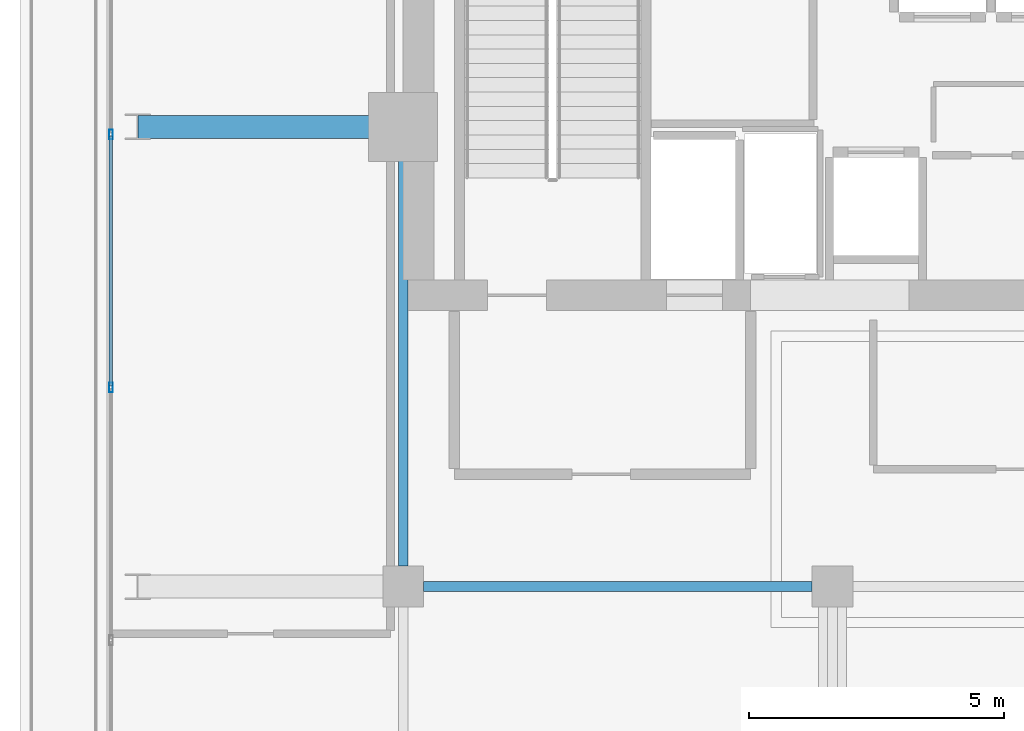
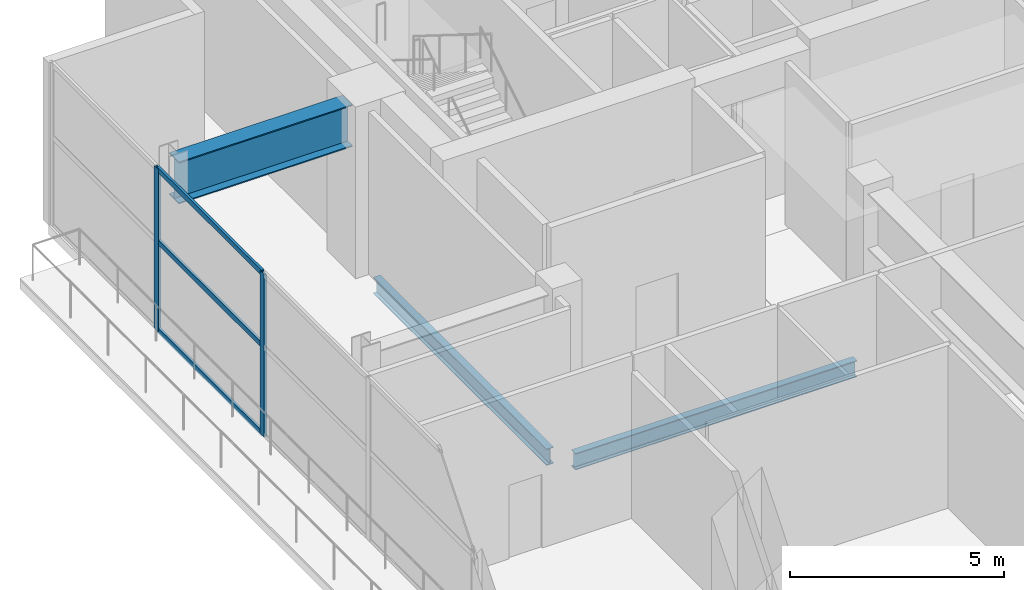
# One storey, part 8 of 22: 5 members, 3 beams, 1 element without a shape of its own.
"""IFC4 building model written with IfcOpenShell, lengths in metres."""

from ifc_helpers import new_model, si_unit, direction, frame, origin, origin_2d, place, context, subcontext, project, spatial, hollow_rectangle, i_section, extrude, material, layer, layer_set, material_profile, profile_set, type_object, element, aggregate, save


model = new_model("IFC4")

# Units and contexts
model_context = context("Model", 3, precision=1e-05, world=origin(), true_north=direction((0.0, 1.0)))
body_context = subcontext(model_context, "Body", "Model", "MODEL_VIEW")
ifc_project = project(units=[si_unit("LENGTHUNIT", "METRE"), si_unit("AREAUNIT", "SQUARE_METRE"), si_unit("VOLUMEUNIT", "CUBIC_METRE"), si_unit("PLANEANGLEUNIT", "RADIAN"), si_unit("MASSUNIT", "GRAM", prefix="KILO")], contexts=[model_context])

# Site, building, storey
site_placement = place(None, origin())
site = spatial("IfcSite", under=ifc_project, at=site_placement, CompositionType="ELEMENT")
building_placement = place(site_placement, origin())
building = spatial("IfcBuilding", under=site, at=building_placement, Name="Maruvema Waterfront Hotel and Observation Tower", CompositionType="ELEMENT")
storey_placement = place(building_placement, frame((0.0, 0.0, 354.199951171875)))
storey = spatial("IfcBuildingStorey", under=building, at=storey_placement, Name="L87", CompositionType="ELEMENT", Elevation=354.199951171875)

# Curtain wall, members
ifc_material_1 = material(Name="Anodised bronze aluminium and solar-control low-E IGU", Category="aluminium")
ifc_layer = layer(ifc_material_1, 0.159912109375, Name="Observation Crown Structural Glazed Curtain Wall System CW-06")
ifc_layer_set = layer_set([ifc_layer], Name="Anodised bronze aluminium and solar-control low-E IGU")
curtain_wall_type = type_object("IfcCurtainWallType", Name="Observation Crown Structural Glazed Curtain Wall System CW-06", PredefinedType="USERDEFINED", material=ifc_layer_set)
curtain_wall_placement = place(storey_placement, origin())
curtain_wall = element("IfcCurtainWall", 1, at=curtain_wall_placement, inside=storey, type_object=curtain_wall_type, Name="L87 Curtain Wall CW-L87-WN", ObjectType="UNITISED CURTAIN WALL", PredefinedType="USERDEFINED")
ifc_material_2 = material(Name="Anodised architectural bronze aluminium", Category="aluminium")
ifc_material_profile_1 = material_profile(ifc_material_2, hollow_rectangle(XDim=0.070068359375, YDim=0.14990234375, WallThickness=0.00390625, at=origin_2d()), Name="ALU-T70x150")
ifc_profile_set_1 = profile_set([ifc_material_profile_1], Name="Anodised architectural bronze aluminium")
member_type_1 = type_object("IfcMemberType", Name="Curtain Wall Horizontal Transom ALU-T70x150", PredefinedType="USERDEFINED", material=ifc_profile_set_1)
member_1_placement = place(storey_placement, frame((19.47998046875, 44.820068359375, 0.030029296875), z_axis=(0.0, -1.0, 0.0), x_axis=(1.0, 0.0, 0.0)))
member_1 = element("IfcMember", 2, at=member_1_placement, type_object=member_type_1, Name="CW-06 transom 2.1", ObjectType="TRANSOM", PredefinedType="USERDEFINED", context=body_context, shape_type="SweptSolid", body=[
    extrude(hollow_rectangle(XDim=0.070068359375, YDim=0.14990234375, WallThickness=0.00390625, at=origin_2d()), origin(), (0.0, 0.0, 1.0), 4.89013671875),
])
member_2_placement = place(storey_placement, frame((19.47998046875, 44.820068359375, 2.550048828125), z_axis=(0.0, -1.0, 0.0), x_axis=(1.0, 0.0, 0.0)))
member_2 = element("IfcMember", 3, at=member_2_placement, type_object=member_type_1, Name="CW-06 transom 2.2", ObjectType="TRANSOM", PredefinedType="USERDEFINED", context=body_context, shape_type="SweptSolid", body=[
    extrude(hollow_rectangle(XDim=0.070068359375, YDim=0.14990234375, WallThickness=0.00390625, at=origin_2d()), origin(), (0.0, 0.0, 1.0), 4.89013671875),
])
member_3_placement = place(storey_placement, frame((19.47998046875, 44.820068359375, 4.610107421875), z_axis=(0.0, -1.0, 0.0), x_axis=(1.0, 0.0, 0.0)))
member_3 = element("IfcMember", 4, at=member_3_placement, type_object=member_type_1, Name="CW-06 transom 2.3", ObjectType="TRANSOM", PredefinedType="USERDEFINED", context=body_context, shape_type="SweptSolid", body=[
    extrude(hollow_rectangle(XDim=0.070068359375, YDim=0.14990234375, WallThickness=0.00390625, at=origin_2d()), origin(), (0.0, 0.0, 1.0), 4.89013671875),
])
ifc_material_3 = material(Name="Anodised architectural bronze aluminium", Category="aluminium")
ifc_material_profile_2 = material_profile(ifc_material_3, hollow_rectangle(XDim=0.070068359375, YDim=0.18994140625, WallThickness=0.00390625, at=origin_2d()), Name="ALU-M70x190")
ifc_profile_set_2 = profile_set([ifc_material_profile_2], Name="Anodised architectural bronze aluminium")
member_type_2 = type_object("IfcMemberType", Name="Podium Storefront Heavy Mullion ALU-M70x190", PredefinedType="MULLION", material=ifc_profile_set_2)
member_4_placement = place(storey_placement, frame((19.47998046875, 44.85009765625, 0.0), z_axis=(0.0, 0.0, 1.0), x_axis=(1.0, 0.0, 0.0)))
member_4 = element("IfcMember", 5, at=member_4_placement, type_object=member_type_2, Name="CW-06 mullion 2", PredefinedType="MULLION", context=body_context, shape_type="SweptSolid", body=[
    extrude(hollow_rectangle(XDim=0.070068359375, YDim=0.18994140625, WallThickness=0.00390625, at=origin_2d()), origin(), (0.0, 0.0, 1.0), 4.64013671875),
])
member_5_placement = place(storey_placement, frame((19.47998046875, 39.89990234375, 0.0), z_axis=(0.0, 0.0, 1.0), x_axis=(1.0, 0.0, 0.0)))
member_5 = element("IfcMember", 6, at=member_5_placement, type_object=member_type_2, Name="CW-06 mullion 3", PredefinedType="MULLION", context=body_context, shape_type="SweptSolid", body=[
    extrude(hollow_rectangle(XDim=0.070068359375, YDim=0.18994140625, WallThickness=0.00390625, at=origin_2d()), origin(), (0.0, 0.0, 1.0), 4.64013671875),
])
aggregate(curtain_wall, [member_4, member_5, member_1, member_2, member_3])

# Beams
ifc_material_4 = material(Name="Steel ASTM A572 Grade 50", Category="steel")
ifc_material_profile_3 = material_profile(ifc_material_4, i_section(OverallWidth=0.194091796875, OverallDepth=0.468994140625, WebThickness=0.0126953125, FlangeThickness=0.0205078125, FilletRadius=0.014892578125, at=origin_2d()), Name="W460x106.0")
ifc_profile_set_3 = profile_set([ifc_material_profile_3], Name="Steel ASTM A572 Grade 50")
beam_type_1 = type_object("IfcBeamType", Name="Primary Floor Girder W460x106.0", PredefinedType="BEAM", material=ifc_profile_set_3)
beam_1_placement = place(storey_placement, frame((25.60009765625, 36.0, -0.494384765625), z_axis=(1.0, 0.0, 0.0), x_axis=(0.0, 1.0, 0.0)))
element("IfcBeam", 7, at=beam_1_placement, inside=storey, type_object=beam_type_1, Name="L87 Floor Girder EW-05", PredefinedType="BEAM", context=body_context, shape_type="SweptSolid", body=[
    extrude(i_section(OverallWidth=0.194091796875, OverallDepth=0.468994140625, WebThickness=0.0126953125, FlangeThickness=0.0205078125, FilletRadius=0.014892578125, at=origin_2d()), origin(), (0.0, 0.0, 1.0), 7.599853515625),
])
beam_2_placement = place(storey_placement, frame((25.199951171875, 36.39990234375, -0.494384765625), z_axis=(0.0, 1.0, 0.0), x_axis=(-1.0, 0.0, 0.0)))
element("IfcBeam", 8, at=beam_2_placement, inside=storey, type_object=beam_type_1, Name="L87 Floor Girder NS-03", PredefinedType="BEAM", context=body_context, shape_type="SweptSolid", body=[
    extrude(i_section(OverallWidth=0.194091796875, OverallDepth=0.468994140625, WebThickness=0.0126953125, FlangeThickness=0.0205078125, FilletRadius=0.014892578125, at=origin_2d()), origin(), (0.0, 0.0, 1.0), 8.10009765625),
])
ifc_material_5 = material(Name="Steel ABNT NBR 7007 AR 415 (ASTM A572 Grade 50)", Category="steel")
ifc_material_profile_4 = material_profile(ifc_material_5, i_section(OverallWidth=0.449951171875, OverallDepth=1.199951171875, WebThickness=0.01904296875, FlangeThickness=0.031982421875, at=origin_2d()), Name="VS1200x366")
ifc_profile_set_4 = profile_set([ifc_material_profile_4], Name="Steel ABNT NBR 7007 AR 415 (ASTM A572 Grade 50)")
beam_type_2 = type_object("IfcBeamType", Name="Upper Setback Transfer Girder VS1200x366", PredefinedType="USERDEFINED", material=ifc_profile_set_4)
beam_3_placement = place(storey_placement, frame((20.010986328125, 45.0, 4.0400390625), z_axis=(1.0, 0.0, 0.0), x_axis=(0.0, 1.0, 0.0)))
element("IfcBeam", 9, at=beam_3_placement, inside=storey, type_object=beam_type_2, Name="L87 Upper Setback Transfer Girder W Y=45.0m", ObjectType="TRANSFER GIRDER", PredefinedType="USERDEFINED", context=body_context, shape_type="SweptSolid", body=[
    extrude(i_section(OverallWidth=0.449951171875, OverallDepth=1.199951171875, WebThickness=0.01904296875, FlangeThickness=0.031982421875, at=origin_2d()), origin(), (0.0, 0.0, 1.0), 4.68896484375),
])

save(model, "model.ifc")
